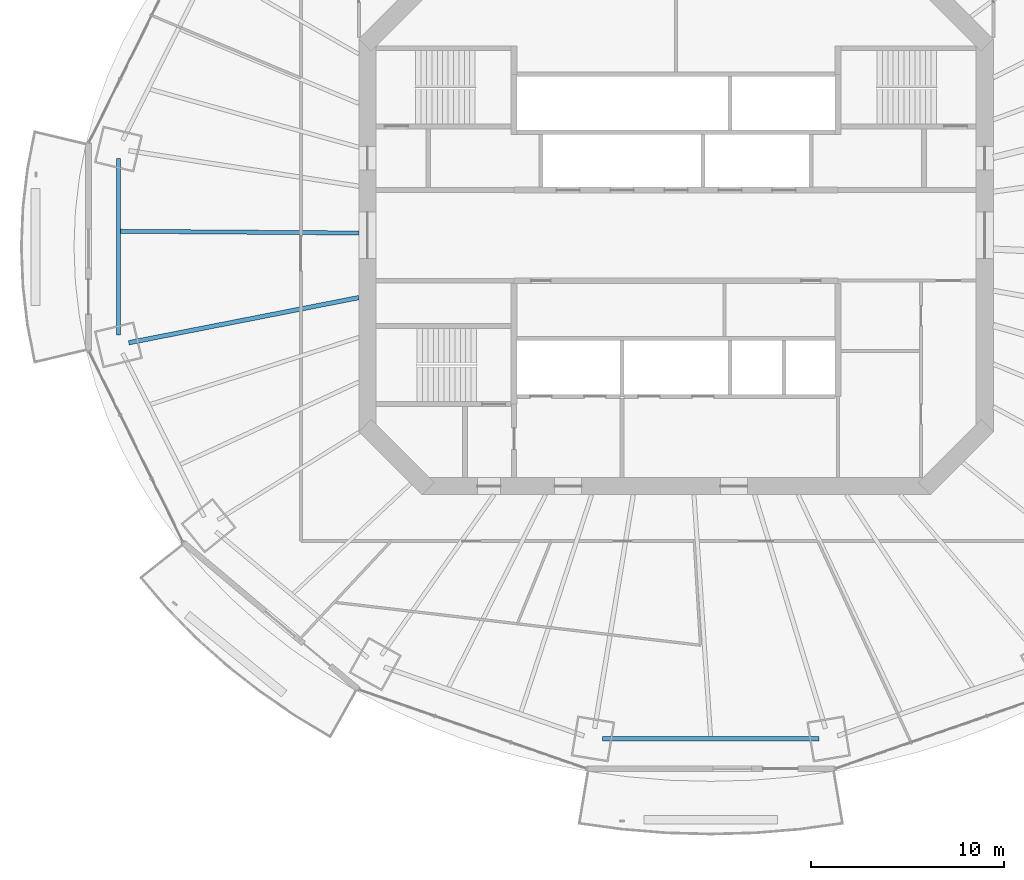
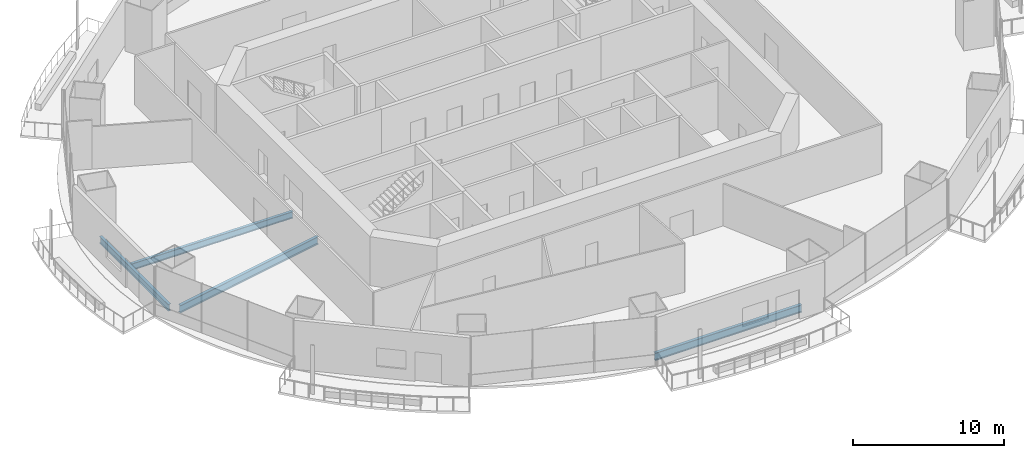
# One storey, part 3 of 21: 4 beams.
"""IFC4 building model written with IfcOpenShell, lengths in metres."""

from ifc_helpers import new_model, si_unit, direction, frame, origin, origin_2d, place, context, subcontext, project, spatial, i_section, extrude, material, material_profile, profile_set, type_object, element, save


model = new_model("IFC4")

# Units and contexts
model_context = context("Model", 3, precision=1e-05, world=origin(), true_north=direction((0.0, 1.0)))
body_context = subcontext(model_context, "Body", "Model", "MODEL_VIEW")
ifc_project = project(units=[si_unit("LENGTHUNIT", "METRE"), si_unit("AREAUNIT", "SQUARE_METRE"), si_unit("VOLUMEUNIT", "CUBIC_METRE"), si_unit("PLANEANGLEUNIT", "RADIAN"), si_unit("MASSUNIT", "GRAM", prefix="KILO")], contexts=[model_context])

# Site, building, storey
site_placement = place(None, origin())
site = spatial("IfcSite", under=ifc_project, at=site_placement, CompositionType="ELEMENT")
building_placement = place(site_placement, origin())
building = spatial("IfcBuilding", under=site, at=building_placement, Name="Marenthal Gate Tower", CompositionType="ELEMENT")
storey_placement = place(building_placement, frame((0.0, 0.0, 161.050048828125)))
storey = spatial("IfcBuildingStorey", under=building, at=storey_placement, Name="L34", CompositionType="ELEMENT", Elevation=161.050048828125)

# Beams
ifc_material_1 = material(Name="Steel S355", Category="steel")
ifc_material_profile_1 = material_profile(ifc_material_1, i_section(OverallWidth=0.2119140625, OverallDepth=0.5439453125, WebThickness=0.01318359375, FlangeThickness=0.021240234375, FilletRadius=0.0126953125, at=origin_2d()), Name="W530X123")
ifc_profile_set_1 = profile_set([ifc_material_profile_1], Name="Steel S355")
beam_type_1 = type_object("IfcBeamType", Name="W530X123 beam", PredefinedType="BEAM", material=ifc_profile_set_1)
beam_1_placement = place(storey_placement, frame((-28.811279296875, 0.211181640625, -0.4521484375), z_axis=(0.999973155818, -0.007327185195, 0.0), x_axis=(0.007327185195, 0.999973155818, 0.0)))
element("IfcBeam", 1, at=beam_1_placement, inside=storey, type_object=beam_type_1, Name="BM-L34-28", PredefinedType="BEAM", context=body_context, shape_type="SweptSolid", body=[
    extrude(i_section(OverallWidth=0.2119140625, OverallDepth=0.5439453125, WebThickness=0.01318359375, FlangeThickness=0.021240234375, FilletRadius=0.0126953125, at=origin_2d()), origin(), (0.0, 0.0, 1.0), 12.361572265625),
])
beam_2_placement = place(storey_placement, frame((-28.917236328125, 3.97216796875, -0.4521484375), z_axis=(0.0, -1.0, 0.0), x_axis=(1.0, 0.0, 0.0)))
element("IfcBeam", 2, at=beam_2_placement, inside=storey, type_object=beam_type_1, Name="BM-L34-48", PredefinedType="BEAM", context=body_context, shape_type="SweptSolid", body=[
    extrude(i_section(OverallWidth=0.2119140625, OverallDepth=0.5439453125, WebThickness=0.01318359375, FlangeThickness=0.021240234375, FilletRadius=0.0126953125, at=origin_2d()), origin(), (0.0, 0.0, 1.0), 9.144287109375),
])
ifc_material_2 = material(Name="Steel S355", Category="steel")
ifc_material_profile_2 = material_profile(ifc_material_2, i_section(OverallWidth=0.22900390625, OverallDepth=0.612060546875, WebThickness=0.011962890625, FlangeThickness=0.01953125, FilletRadius=0.0126953125, at=origin_2d()), Name="W610X125")
ifc_profile_set_2 = profile_set([ifc_material_profile_2], Name="Steel S355")
beam_type_2 = type_object("IfcBeamType", Name="W610X125 beam", PredefinedType="BEAM", material=ifc_profile_set_2)
beam_3_placement = place(storey_placement, frame((-28.376708984375, -5.568603515625, -0.486083984375), z_axis=(0.981282725396, 0.192572617055, 0.0), x_axis=(-0.192572617055, 0.981282725396, 0.0)))
element("IfcBeam", 3, at=beam_3_placement, inside=storey, type_object=beam_type_2, Name="BM-L34-09", PredefinedType="BEAM", context=body_context, shape_type="SweptSolid", body=[
    extrude(i_section(OverallWidth=0.22900390625, OverallDepth=0.612060546875, WebThickness=0.011962890625, FlangeThickness=0.01953125, FilletRadius=0.0126953125, at=origin_2d()), origin(), (0.0, 0.0, 1.0), 12.154296875),
])
beam_4_placement = place(storey_placement, frame((-3.82177734375, -26.1123046875, -0.486083984375), z_axis=(1.0, 0.0, 0.0), x_axis=(0.0, 1.0, 0.0)))
element("IfcBeam", 4, at=beam_4_placement, inside=storey, type_object=beam_type_2, Name="BM-L34-52", PredefinedType="BEAM", context=body_context, shape_type="SweptSolid", body=[
    extrude(i_section(OverallWidth=0.22900390625, OverallDepth=0.612060546875, WebThickness=0.011962890625, FlangeThickness=0.01953125, FilletRadius=0.0126953125, at=origin_2d()), origin(), (0.0, 0.0, 1.0), 11.24365234375),
])

save(model, "model.ifc")
